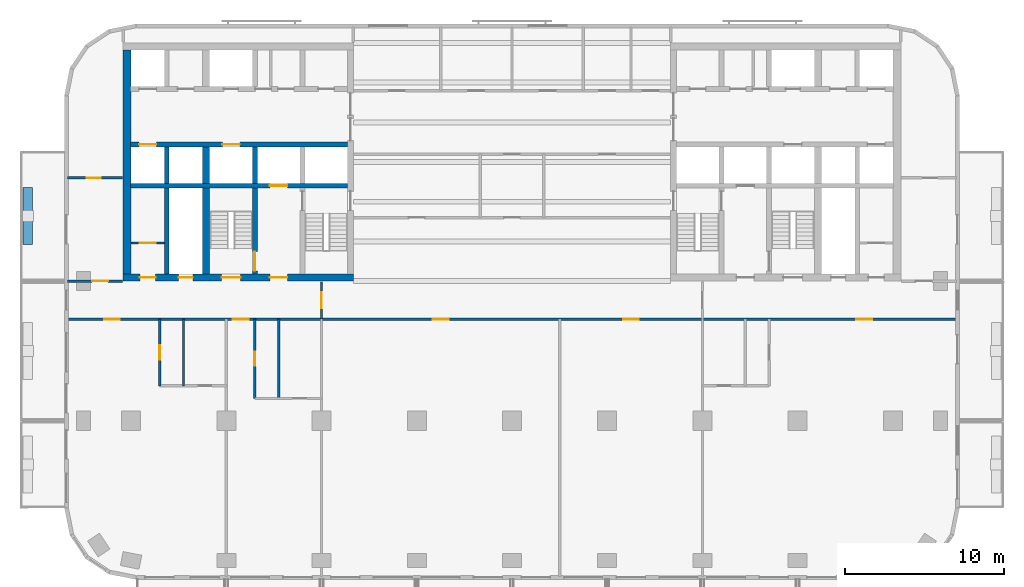
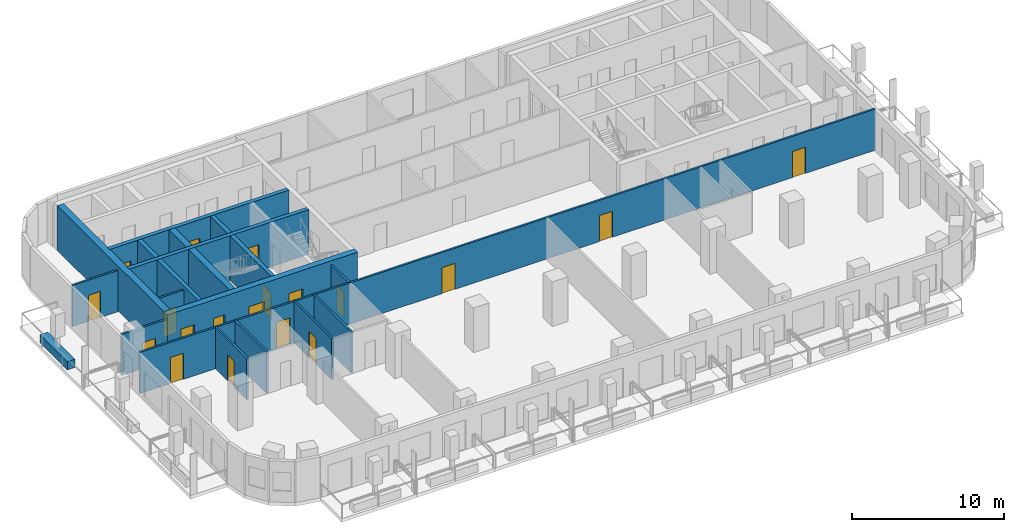
# One storey, part 3 of 11: 20 walls, 19 doors, 19 openings.
"""IFC4 building model written with IfcOpenShell, lengths in metres."""

import ifcopenshell
import ifcopenshell.guid

model = None  # the IFC model being written
_history = None  # IfcOwnerHistory: only IFC2X3 demands one
_inside = {}  # id of a spatial element -> (the spatial element, [elements in it])
_under = {}  # id of a project, library or spatial element -> (it, [spatial elements below it])
_declared = {}  # id of a project -> (the project, [libraries it declares])
_typed = {}  # id of a type object -> (the type object, [elements of that type])
_made_of = {}  # id of a material, layer set ... -> (it, [elements and type objects made of it])


def new_model(schema):
    """Start an empty IFC model of exactly this schema.

    Asked for "IFC4X3", IfcOpenShell would pick the latest addendum, in which some entities
    have other attributes; the version numbers below select the first issue.
    IFC2X3 requires an IfcOwnerHistory on every rooted entity: one is made here for all.
    """
    global model, _history
    if schema == "IFC4X3":
        model = ifcopenshell.file(schema_version=(4, 3, 0, 0))
    else:
        model = ifcopenshell.file(schema=schema)
    _inside.clear()
    _under.clear()
    _declared.clear()
    _typed.clear()
    _made_of.clear()
    _history = None
    if model.schema == "IFC2X3":
        org = make("IfcOrganization", Name="unknown")
        user = make(
            "IfcPersonAndOrganization",
            ThePerson=make("IfcPerson", FamilyName="unknown"),
            TheOrganization=org,
        )
        app = make(
            "IfcApplication",
            ApplicationDeveloper=org,
            Version="unknown",
            ApplicationFullName="unknown",
            ApplicationIdentifier="unknown",
        )
        _history = make(
            "IfcOwnerHistory",
            OwningUser=user,
            OwningApplication=app,
            ChangeAction="ADDED",
            CreationDate=0,
        )
    return model


def make(cls, **values):
    """One entity of the class cls with the attributes given. An attribute that is None is left unset."""
    return model.create_entity(
        cls, **{name: value for name, value in values.items() if value is not None}
    )


def rooted(cls, **values):
    """An entity with a GlobalId (a new one), such as an element, a storey or a relation."""
    return make(cls, GlobalId=ifcopenshell.guid.new(), OwnerHistory=_history, **values)


def si_unit(unit_type, name, prefix=None):
    """IfcSIUnit, for example si_unit("LENGTHUNIT", "METRE", prefix="MILLI")."""
    return make("IfcSIUnit", UnitType=unit_type, Prefix=prefix, Name=name)


def assignment(units):
    """IfcUnitAssignment: the units of a project."""
    return None if units is None else make("IfcUnitAssignment", Units=units)


def point(xyz):
    """IfcCartesianPoint."""
    return None if xyz is None else make("IfcCartesianPoint", Coordinates=xyz)


def direction(xyz):
    """IfcDirection."""
    return None if xyz is None else make("IfcDirection", DirectionRatios=xyz)


def frame(location, z_axis=None, x_axis=None):
    """IfcAxis2Placement3D, a coordinate frame: its origin and axes. An axis left out is left unset."""
    return make(
        "IfcAxis2Placement3D",
        Location=point(location),
        Axis=direction(z_axis),
        RefDirection=direction(x_axis),
    )


def frame_2d(location, x_axis=None):
    """IfcAxis2Placement2D, a coordinate frame in the plane: its origin and x axis."""
    return make(
        "IfcAxis2Placement2D", Location=point(location), RefDirection=direction(x_axis)
    )


def origin():
    """The frame at (0, 0, 0) with its axes left unset."""
    return frame((0.0, 0.0, 0.0))


def place(relative_to, where):
    """IfcLocalPlacement: puts the frame where relative to a parent placement (None: the world)."""
    return make(
        "IfcLocalPlacement", PlacementRelTo=relative_to, RelativePlacement=where
    )


def context(
    kind, dimensions, precision=None, world=None, true_north=None, identifier=None
):
    """IfcGeometricRepresentationContext, for example the 3D "Model" context."""
    return make(
        "IfcGeometricRepresentationContext",
        ContextIdentifier=identifier,
        ContextType=kind,
        CoordinateSpaceDimension=dimensions,
        Precision=precision,
        WorldCoordinateSystem=world,
        TrueNorth=true_north,
    )


def subcontext(parent, identifier, kind, view, scale=None):
    """IfcGeometricRepresentationSubContext, for example "Body" below "Model"."""
    return make(
        "IfcGeometricRepresentationSubContext",
        ContextIdentifier=identifier,
        ContextType=kind,
        ParentContext=parent,
        TargetScale=scale,
        TargetView=view,
    )


def project(units=None, contexts=None):
    """IfcProject with its units and contexts."""
    return rooted(
        "IfcProject",
        Name="project",
        RepresentationContexts=contexts,
        UnitsInContext=assignment(units),
    )


def spatial(cls, under=None, at=None, **own):
    """A site, building, storey or space (cls), placed at a placement, below another one or the project."""
    s = rooted(cls, ObjectPlacement=at, **own)
    if under is not None:
        _under.setdefault(under.id(), (under, []))[1].append(s)
    return s


def profile(cls, at=None, kind="AREA", **sizes):
    """A parametric profile (cls). Its sizes go by their IFC names, for example OverallWidth=200.0."""
    return make(cls, ProfileType=kind, Position=at, **sizes)


def rectangle(**sizes):
    """IfcRectangleProfileDef."""
    return profile("IfcRectangleProfileDef", **sizes)


def extrude(swept, where, along, depth):
    """IfcExtrudedAreaSolid: the profile swept, set in the frame where, extruded along a direction by depth."""
    return make(
        "IfcExtrudedAreaSolid",
        SweptArea=swept,
        Position=where,
        ExtrudedDirection=direction(along),
        Depth=depth,
    )


def shape(context_of_items, identifier, shape_type, items):
    """IfcShapeRepresentation: the items that make up one representation, for example the "Body"."""
    return make(
        "IfcShapeRepresentation",
        ContextOfItems=context_of_items,
        RepresentationIdentifier=identifier,
        RepresentationType=shape_type,
        Items=items,
    )


def material(Name=None, Category=None):
    """IfcMaterial."""
    return make("IfcMaterial", Name=Name, Category=Category)


def layer(
    of_material, thickness, ventilated=None, Name=None, Category=None, Priority=None
):
    """IfcMaterialLayer: one layer of a wall or slab, of a material (None: an air gap)."""
    return make(
        "IfcMaterialLayer",
        Material=of_material,
        LayerThickness=thickness,
        IsVentilated=ventilated,
        Name=Name,
        Category=Category,
        Priority=Priority,
    )


def layer_set(layers, Name=None):
    """IfcMaterialLayerSet."""
    return make("IfcMaterialLayerSet", MaterialLayers=layers, LayerSetName=Name)


def made_of(thing, what):
    """Note that an element or type object is made of a material, layer set ...; save() writes the relation."""
    if what is not None:
        _made_of.setdefault(what.id(), (what, []))[1].append(thing)
    return thing


def type_object(cls, material=None, **own):
    """A type object (cls), such as IfcWallType, which elements share."""
    return made_of(rooted(cls, **own), material)


def element(
    cls,
    number,
    at=None,
    inside=None,
    cuts=None,
    type_object=None,
    material=None,
    context=None,
    identifier="Body",
    shape_type=None,
    held_by="IfcProductDefinitionShape",
    body=None,
    shapes=None,
    **own,
):
    """One element of the class cls, such as IfcWall. Its Tag is "e" and its number.

    at: its placement. inside: the storey or other place that contains it. cuts: it is an
    opening in that element (IfcRelVoidsElement). A single representation is given by context,
    identifier, shape_type and body (its items); several are given by shapes. held_by: the class
    of the entity that holds the representations. save() writes the other relations.
    """
    e = rooted(cls, Tag="e%d" % number, ObjectPlacement=at, **own)
    if body is not None:
        shapes = [shape(context, identifier, shape_type, body)]
    if shapes is not None:
        e.Representation = make(held_by, Representations=shapes)
    if inside is not None:
        _inside.setdefault(inside.id(), (inside, []))[1].append(e)
    if cuts is not None:
        rooted(
            "IfcRelVoidsElement", RelatingBuildingElement=cuts, RelatedOpeningElement=e
        )
    if type_object is not None:
        _typed.setdefault(type_object.id(), (type_object, []))[1].append(e)
    return made_of(e, material)


def fill(opening, filler):
    """IfcRelFillsElement: the door or window that sits in an opening."""
    return rooted(
        "IfcRelFillsElement",
        RelatingOpeningElement=opening,
        RelatedBuildingElement=filler,
    )


def aggregate(whole, parts):
    """IfcRelAggregates: a whole, such as a stair, and the parts it consists of."""
    return rooted("IfcRelAggregates", RelatingObject=whole, RelatedObjects=parts)


def save(model, path):
    """Write the relations noted so far, then the file.

    IfcRelAggregates (storeys below a building ...), IfcRelContainedInSpatialStructure (elements
    in a storey), IfcRelDefinesByType, IfcRelAssociatesMaterial and IfcRelDeclares: one each for
    every whole, place, type object, material and project.
    """
    for whole, parts in _under.values():
        aggregate(whole, parts)
    for where, things in _inside.values():
        rooted(
            "IfcRelContainedInSpatialStructure",
            RelatedElements=things,
            RelatingStructure=where,
        )
    for kind, things in _typed.values():
        rooted("IfcRelDefinesByType", RelatedObjects=things, RelatingType=kind)
    for what, things in _made_of.values():
        rooted("IfcRelAssociatesMaterial", RelatedObjects=things, RelatingMaterial=what)
    for by, libraries in _declared.values():
        rooted("IfcRelDeclares", RelatingContext=by, RelatedDefinitions=libraries)
    model.write(path)


model = new_model("IFC4")

# Units and contexts
model_context = context("Model", 3, precision=1e-05, world=origin(), true_north=direction((0.0, 1.0)))
body_context = subcontext(model_context, "Body", "Model", "MODEL_VIEW")
ifc_project = project(units=[si_unit("LENGTHUNIT", "METRE"), si_unit("AREAUNIT", "SQUARE_METRE"), si_unit("VOLUMEUNIT", "CUBIC_METRE"), si_unit("PLANEANGLEUNIT", "RADIAN"), si_unit("MASSUNIT", "GRAM", prefix="KILO")], contexts=[model_context])

# Site, building, storey
site_placement = place(None, origin())
site = spatial("IfcSite", under=ifc_project, at=site_placement, CompositionType="ELEMENT")
building_placement = place(site_placement, origin())
building = spatial("IfcBuilding", under=site, at=building_placement, Name="Torana Hotel and Residences", CompositionType="ELEMENT")
storey_placement = place(building_placement, frame((0.0, 0.0, 174.0)))
storey = spatial("IfcBuildingStorey", under=building, at=storey_placement, Name="L45", CompositionType="ELEMENT", Elevation=174.0)

# Wall, openings, doors
ifc_material_1 = material(Name="Concrete C70/85", Category="concrete")
ifc_layer_1 = layer(ifc_material_1, 0.300048828125)
ifc_layer_set_1 = layer_set([ifc_layer_1], Name="CORE WALL 300 C70/85")
wall_type_1 = type_object("IfcWallType", Name="CORE WALL 300 C70/85", PredefinedType="SHEAR", material=ifc_layer_set_1)
wall_1_placement = place(storey_placement, frame((-24.050048828125, -6.39990234375, 0.0), z_axis=(0.0, 0.0, 1.0), x_axis=(1.0, 0.0, 0.0)))
wall_1 = element("IfcWall", 1, at=wall_1_placement, inside=storey, type_object=wall_type_1, Name="Core wall W row-S", PredefinedType="SHEAR", context=body_context, shape_type="SweptSolid", body=[
    extrude(rectangle(XDim=13.699951171875, YDim=0.300048828125, at=frame_2d((6.85009765625, 0.0))), origin(), (0.0, 0.0, 1.0), 3.60009765625),
])
opening_1_placement = place(wall_1_placement, frame((0.550048828125, 0.0, 0.0)))
opening_1 = element("IfcOpeningElement", 2, at=opening_1_placement, cuts=wall_1, Name="Opening LD", PredefinedType="OPENING", context=body_context, shape_type="SweptSolid", body=[
    extrude(rectangle(XDim=1.10009765625, YDim=2.10009765625, at=frame_2d((0.550048828125, 1.050048828125))), frame((0.0, 0.159912109375, 0.0), z_axis=(0.0, -1.0, 0.0), x_axis=(1.0, 0.0, 0.0)), (0.0, 0.0, 1.0), 0.320068359375),
])
opening_2_placement = place(wall_1_placement, frame((5.800048828125, 0.0, 0.0)))
opening_2 = element("IfcOpeningElement", 3, at=opening_2_placement, cuts=wall_1, Name="Opening LD", PredefinedType="OPENING", context=body_context, shape_type="SweptSolid", body=[
    extrude(rectangle(XDim=1.10009765625, YDim=2.10009765625, at=frame_2d((0.550048828125, 1.050048828125))), frame((0.0, 0.159912109375, 0.0), z_axis=(0.0, -1.0, 0.0), x_axis=(1.0, 0.0, 0.0)), (0.0, 0.0, 1.0), 0.320068359375),
])
ifc_material_2 = material(Name="Stainless steel 316", Category="steel")
door_type_1 = type_object("IfcDoorType", Name="LIFT LANDING DOOR LD 1100x2100", OperationType="DOUBLE_DOOR_SLIDING", PredefinedType="USERDEFINED", material=ifc_material_2)
door_1_placement = place(opening_1_placement, origin())
door_1 = element("IfcDoor", 4, at=door_1_placement, inside=storey, type_object=door_type_1, Name="Lift landing door M2 L45", ObjectType="LIFT LANDING DOOR", OperationType="DOUBLE_DOOR_SLIDING", OverallHeight=2.10009765625, OverallWidth=1.10009765625, PredefinedType="USERDEFINED", context=body_context, shape_type="SweptSolid", body=[
    extrude(rectangle(XDim=1.10009765625, YDim=2.10009765625, at=frame_2d((0.550048828125, 1.050048828125))), frame((0.0, 0.02490234375, 0.0), z_axis=(0.0, -1.0, 0.0), x_axis=(1.0, 0.0, 0.0)), (0.0, 0.0, 1.0), 0.050048828125),
])
fill(opening_1, door_1)
door_2_placement = place(opening_2_placement, origin())
door_2 = element("IfcDoor", 5, at=door_2_placement, inside=storey, type_object=door_type_1, Name="Lift landing door SV1 L45", ObjectType="LIFT LANDING DOOR", OperationType="DOUBLE_DOOR_SLIDING", OverallHeight=2.10009765625, OverallWidth=1.10009765625, PredefinedType="USERDEFINED", context=body_context, shape_type="SweptSolid", body=[
    extrude(rectangle(XDim=1.10009765625, YDim=2.10009765625, at=frame_2d((0.550048828125, 1.050048828125))), frame((0.0, 0.02490234375, 0.0), z_axis=(0.0, -1.0, 0.0), x_axis=(1.0, 0.0, 0.0)), (0.0, 0.0, 1.0), 0.050048828125),
])
fill(opening_2, door_2)

# Wall, opening, door
wall_2_placement = place(storey_placement, frame((-24.050048828125, -9.0, 0.0), z_axis=(0.0, 0.0, 1.0), x_axis=(1.0, 0.0, 0.0)))
wall_2 = element("IfcWall", 6, at=wall_2_placement, inside=storey, type_object=wall_type_1, Name="Core wall W band", PredefinedType="SHEAR", context=body_context, shape_type="SweptSolid", body=[
    extrude(rectangle(XDim=13.699951171875, YDim=0.300048828125, at=frame_2d((6.85009765625, 0.0))), origin(), (0.0, 0.0, 1.0), 3.60009765625),
])
opening_3_placement = place(wall_2_placement, frame((8.800048828125, 0.0, 0.0)))
opening_3 = element("IfcOpeningElement", 7, at=opening_3_placement, cuts=wall_2, Name="Opening LD", PredefinedType="OPENING", context=body_context, shape_type="SweptSolid", body=[
    extrude(rectangle(XDim=1.10009765625, YDim=2.10009765625, at=frame_2d((0.550048828125, 1.050048828125))), frame((0.0, 0.159912109375, 0.0), z_axis=(0.0, -1.0, 0.0), x_axis=(1.0, 0.0, 0.0)), (0.0, 0.0, 1.0), 0.320068359375),
])
door_3_placement = place(opening_3_placement, origin())
door_3 = element("IfcDoor", 8, at=door_3_placement, inside=storey, type_object=door_type_1, Name="Lift landing door FF1 L45", ObjectType="LIFT LANDING DOOR", OperationType="DOUBLE_DOOR_SLIDING", OverallHeight=2.10009765625, OverallWidth=1.10009765625, PredefinedType="USERDEFINED", context=body_context, shape_type="SweptSolid", body=[
    extrude(rectangle(XDim=1.10009765625, YDim=2.10009765625, at=frame_2d((0.550048828125, 1.050048828125))), frame((0.0, 0.02490234375, 0.0), z_axis=(0.0, -1.0, 0.0), x_axis=(1.0, 0.0, 0.0)), (0.0, 0.0, 1.0), 0.050048828125),
])
fill(opening_3, door_3)

# Wall
wall_3_placement = place(storey_placement, frame((-16.199951171875, -8.85009765625, 0.0), z_axis=(0.0, 0.0, 1.0), x_axis=(0.0, 1.0, 0.0)))
element("IfcWall", 9, at=wall_3_placement, inside=storey, type_object=wall_type_1, Name="Core wall W x6.05-S", PredefinedType="SHEAR", context=body_context, shape_type="SweptSolid", body=[
    extrude(rectangle(XDim=2.300048828125, YDim=0.300048828125, at=frame_2d((1.14990234375, 0.0))), origin(), (0.0, 0.0, 1.0), 3.60009765625),
])

# Wall, opening, door
wall_4_placement = place(storey_placement, frame((-16.199951171875, -14.550048828125, 0.0), z_axis=(0.0, 0.0, 1.0), x_axis=(0.0, 1.0, 0.0)))
wall_4 = element("IfcWall", 10, at=wall_4_placement, inside=storey, type_object=wall_type_1, Name="Core wall W x6.05-band", PredefinedType="SHEAR", context=body_context, shape_type="SweptSolid", body=[
    extrude(rectangle(XDim=5.400146484375, YDim=0.300048828125, at=frame_2d((2.7001953125, 0.0))), origin(), (0.0, 0.0, 1.0), 3.60009765625),
])
opening_4_placement = place(wall_4_placement, frame((0.199951171875, 0.0, 0.0)))
opening_4 = element("IfcOpeningElement", 11, at=opening_4_placement, cuts=wall_4, Name="Opening L45-14", PredefinedType="OPENING", context=body_context, shape_type="SweptSolid", body=[
    extrude(rectangle(XDim=1.199951171875, YDim=2.10009765625, at=frame_2d((0.60009765625, 1.050048828125))), frame((0.0, 0.159912109375, 0.0), z_axis=(0.0, -1.0, 0.0), x_axis=(1.0, 0.0, 0.0)), (0.0, 0.0, 1.0), 0.320068359375),
])
ifc_material_3 = material(Name="Steel S235", Category="steel")
door_type_2 = type_object("IfcDoorType", Name="STAIR FIRE DOOR D3 1200x2100", OperationType="SINGLE_SWING_LEFT", PredefinedType="DOOR", material=ifc_material_3)
door_4_placement = place(opening_4_placement, origin())
door_4 = element("IfcDoor", 12, at=door_4_placement, inside=storey, type_object=door_type_2, Name="Stair-B-lobby door L45", OperationType="SINGLE_SWING_RIGHT", OverallHeight=2.10009765625, OverallWidth=1.199951171875, PredefinedType="DOOR", context=body_context, shape_type="SweptSolid", body=[
    extrude(rectangle(XDim=1.199951171875, YDim=2.10009765625, at=frame_2d((0.60009765625, 1.050048828125))), frame((0.0, 0.02490234375, 0.0), z_axis=(0.0, -1.0, 0.0), x_axis=(1.0, 0.0, 0.0)), (0.0, 0.0, 1.0), 0.050048828125),
])
fill(opening_4, door_4)

# Walls
wall_5_placement = place(storey_placement, frame((-21.75, -8.85009765625, 0.0), z_axis=(0.0, 0.0, 1.0), x_axis=(0.0, 1.0, 0.0)))
element("IfcWall", 13, at=wall_5_placement, inside=storey, type_object=wall_type_1, Name="Core wall W mm-S", PredefinedType="SHEAR", context=body_context, shape_type="SweptSolid", body=[
    extrude(rectangle(XDim=2.300048828125, YDim=0.300048828125, at=frame_2d((1.14990234375, 0.0))), origin(), (0.0, 0.0, 1.0), 3.60009765625),
])
wall_6_placement = place(storey_placement, frame((-21.75, -14.550048828125, 0.0), z_axis=(0.0, 0.0, 1.0), x_axis=(0.0, 1.0, 0.0)))
element("IfcWall", 14, at=wall_6_placement, inside=storey, type_object=wall_type_1, Name="Core wall W mm-band", PredefinedType="SHEAR", context=body_context, shape_type="SweptSolid", body=[
    extrude(rectangle(XDim=5.400146484375, YDim=0.300048828125, at=frame_2d((2.7001953125, 0.0))), origin(), (0.0, 0.0, 1.0), 3.60009765625),
])

# Wall, openings, doors
ifc_material_4 = material(Name="Concrete C70/85", Category="concrete")
ifc_layer_2 = layer(ifc_material_4, 0.449951171875)
ifc_layer_set_2 = layer_set([ifc_layer_2], Name="CORE WALL 450 C70/85")
wall_type_2 = type_object("IfcWallType", Name="CORE WALL 450 C70/85", PredefinedType="SHEAR", material=ifc_layer_set_2)
wall_7_placement = place(storey_placement, frame((-24.5, -14.77490234375, 0.0), z_axis=(0.0, 0.0, 1.0), x_axis=(1.0, 0.0, 0.0)))
wall_7 = element("IfcWall", 15, at=wall_7_placement, inside=storey, type_object=wall_type_2, Name="Core wall W front", PredefinedType="SHEAR", context=body_context, shape_type="SweptSolid", body=[
    extrude(rectangle(XDim=14.5, YDim=0.449951171875, at=frame_2d((7.25, 0.0))), origin(), (0.0, 0.0, 1.0), 3.60009765625),
])
opening_5_placement = place(wall_7_placement, frame((6.199951171875, 0.0, 0.0)))
opening_5 = element("IfcOpeningElement", 16, at=opening_5_placement, cuts=wall_7, Name="Opening L45-04", PredefinedType="OPENING", context=body_context, shape_type="SweptSolid", body=[
    extrude(rectangle(XDim=1.199951171875, YDim=2.10009765625, at=frame_2d((0.60009765625, 1.050048828125))), frame((0.0, 0.23486328125, 0.0), z_axis=(0.0, -1.0, 0.0), x_axis=(1.0, 0.0, 0.0)), (0.0, 0.0, 1.0), 0.469970703125),
])
opening_6_placement = place(wall_7_placement, frame((9.25, 0.0, 0.0)))
opening_6 = element("IfcOpeningElement", 17, at=opening_6_placement, cuts=wall_7, Name="Opening L45-05", PredefinedType="OPENING", context=body_context, shape_type="SweptSolid", body=[
    extrude(rectangle(XDim=1.10009765625, YDim=2.10009765625, at=frame_2d((0.550048828125, 1.050048828125))), frame((0.0, 0.23486328125, 0.0), z_axis=(0.0, -1.0, 0.0), x_axis=(1.0, 0.0, 0.0)), (0.0, 0.0, 1.0), 0.469970703125),
])
opening_7_placement = place(wall_7_placement, frame((3.5, 0.0, 0.0)))
opening_7 = element("IfcOpeningElement", 18, at=opening_7_placement, cuts=wall_7, Name="Opening L45-06", PredefinedType="OPENING", context=body_context, shape_type="SweptSolid", body=[
    extrude(rectangle(XDim=0.89990234375, YDim=2.10009765625, at=frame_2d((0.449951171875, 1.050048828125))), frame((0.0, 0.23486328125, 0.0), z_axis=(0.0, -1.0, 0.0), x_axis=(1.0, 0.0, 0.0)), (0.0, 0.0, 1.0), 0.469970703125),
])
opening_8_placement = place(wall_7_placement, frame((1.050048828125, 0.0, 0.0)))
opening_8 = element("IfcOpeningElement", 19, at=opening_8_placement, cuts=wall_7, Name="Opening L45-07", PredefinedType="OPENING", context=body_context, shape_type="SweptSolid", body=[
    extrude(rectangle(XDim=1.0, YDim=2.10009765625, at=frame_2d((0.5, 1.050048828125))), frame((0.0, 0.23486328125, 0.0), z_axis=(0.0, -1.0, 0.0), x_axis=(1.0, 0.0, 0.0)), (0.0, 0.0, 1.0), 0.469970703125),
])
ifc_material_5 = material(Name="Steel S235", Category="steel")
door_type_3 = type_object("IfcDoorType", Name="CORE ROOM FIRE DOOR D14 1000x2100", OperationType="SINGLE_SWING_LEFT", PredefinedType="DOOR", material=ifc_material_5)
door_5_placement = place(opening_8_placement, origin())
door_5 = element("IfcDoor", 20, at=door_5_placement, inside=storey, type_object=door_type_3, Name="M-Room-B door L45", OperationType="SINGLE_SWING_RIGHT", OverallHeight=2.10009765625, OverallWidth=1.0, PredefinedType="DOOR", context=body_context, shape_type="SweptSolid", body=[
    extrude(rectangle(XDim=1.0, YDim=2.10009765625, at=frame_2d((0.5, 1.050048828125))), frame((0.0, 0.02490234375, 0.0), z_axis=(0.0, -1.0, 0.0), x_axis=(1.0, 0.0, 0.0)), (0.0, 0.0, 1.0), 0.050048828125),
])
fill(opening_8, door_5)
ifc_material_6 = material(Name="Steel S235", Category="steel")
door_type_4 = type_object("IfcDoorType", Name="FIRE-FIGHTING LOBBY DOOR D8 1100x2100", OperationType="SINGLE_SWING_LEFT", PredefinedType="DOOR", material=ifc_material_6)
door_6_placement = place(opening_6_placement, origin())
door_6 = element("IfcDoor", 21, at=door_6_placement, inside=storey, type_object=door_type_4, Name="FF-lobby door L45", OperationType="SINGLE_SWING_RIGHT", OverallHeight=2.10009765625, OverallWidth=1.10009765625, PredefinedType="DOOR", context=body_context, shape_type="SweptSolid", body=[
    extrude(rectangle(XDim=1.10009765625, YDim=2.10009765625, at=frame_2d((0.550048828125, 1.050048828125))), frame((0.0, 0.02490234375, 0.0), z_axis=(0.0, -1.0, 0.0), x_axis=(1.0, 0.0, 0.0)), (0.0, 0.0, 1.0), 0.050048828125),
])
fill(opening_6, door_6)
ifc_material_7 = material(Name="Steel S235", Category="steel")
door_type_5 = type_object("IfcDoorType", Name="RISER ACCESS DOOR D5 900x2100", OperationType="SINGLE_SWING_LEFT", PredefinedType="DOOR", material=ifc_material_7)
door_7_placement = place(opening_7_placement, origin())
door_7 = element("IfcDoor", 22, at=door_7_placement, inside=storey, type_object=door_type_5, Name="M-Riser door L45", OperationType="SINGLE_SWING_RIGHT", OverallHeight=2.10009765625, OverallWidth=0.89990234375, PredefinedType="DOOR", context=body_context, shape_type="SweptSolid", body=[
    extrude(rectangle(XDim=0.89990234375, YDim=2.10009765625, at=frame_2d((0.449951171875, 1.050048828125))), frame((0.0, 0.02490234375, 0.0), z_axis=(0.0, -1.0, 0.0), x_axis=(1.0, 0.0, 0.0)), (0.0, 0.0, 1.0), 0.050048828125),
])
fill(opening_7, door_7)
door_8_placement = place(opening_5_placement, origin())
door_8 = element("IfcDoor", 23, at=door_8_placement, inside=storey, type_object=door_type_2, Name="Stair-B door L45", OperationType="SINGLE_SWING_RIGHT", OverallHeight=2.10009765625, OverallWidth=1.199951171875, PredefinedType="DOOR", context=body_context, shape_type="SweptSolid", body=[
    extrude(rectangle(XDim=1.199951171875, YDim=2.10009765625, at=frame_2d((0.60009765625, 1.050048828125))), frame((0.0, 0.02490234375, 0.0), z_axis=(0.0, -1.0, 0.0), x_axis=(1.0, 0.0, 0.0)), (0.0, 0.0, 1.0), 0.050048828125),
])
fill(opening_5, door_8)

# Walls
wall_8_placement = place(storey_placement, frame((-19.27490234375, -8.85009765625, 0.0), z_axis=(0.0, 0.0, 1.0), x_axis=(0.0, 1.0, 0.0)))
element("IfcWall", 24, at=wall_8_placement, inside=storey, type_object=wall_type_2, Name="Core wall W hm-S", PredefinedType="SHEAR", context=body_context, shape_type="SweptSolid", body=[
    extrude(rectangle(XDim=2.300048828125, YDim=0.449951171875, at=frame_2d((1.14990234375, 0.0))), origin(), (0.0, 0.0, 1.0), 3.60009765625),
])
wall_9_placement = place(storey_placement, frame((-19.27490234375, -14.550048828125, 0.0), z_axis=(0.0, 0.0, 1.0), x_axis=(0.0, 1.0, 0.0)))
element("IfcWall", 25, at=wall_9_placement, inside=storey, type_object=wall_type_2, Name="Core wall W hm-band", PredefinedType="SHEAR", context=body_context, shape_type="SweptSolid", body=[
    extrude(rectangle(XDim=5.400146484375, YDim=0.449951171875, at=frame_2d((2.7001953125, 0.0))), origin(), (0.0, 0.0, 1.0), 3.60009765625),
])
ifc_material_8 = material(Name="Concrete C70/85", Category="concrete")
ifc_layer_3 = layer(ifc_material_8, 0.5)
ifc_layer_set_3 = layer_set([ifc_layer_3], Name="CORE WALL 500 C70/85")
wall_type_3 = type_object("IfcWallType", Name="CORE WALL 500 C70/85", PredefinedType="SHEAR", material=ifc_layer_set_3)
wall_10_placement = place(storey_placement, frame((-24.25, -14.550048828125, 0.0), z_axis=(0.0, 0.0, 1.0), x_axis=(0.0, 1.0, 0.0)))
element("IfcWall", 26, at=wall_10_placement, inside=storey, type_object=wall_type_3, Name="Core wall W outer", PredefinedType="SHEAR", context=body_context, shape_type="SweptSolid", body=[
    extrude(rectangle(XDim=14.10009765625, YDim=0.5, at=frame_2d((7.050048828125, 0.0))), origin(), (0.0, 0.0, 1.0), 3.60009765625),
])

# Wall, opening, door
ifc_material_9 = material(Name="Gypsum plaster")
ifc_layer_4 = layer(ifc_material_9, 0.014892578125, Name="Plaster", Category="finish")
ifc_material_10 = material(Name="Concrete blockwork", Category="masonry")
ifc_layer_5 = layer(ifc_material_10, 0.1201171875, Name="Blockwork", Category="structure")
ifc_layer_6 = layer(ifc_material_9, 0.014892578125, Name="Plaster", Category="finish")
ifc_layer_set_4 = layer_set([ifc_layer_4, ifc_layer_5, ifc_layer_6], Name="FIRE PARTITION 150 BLOCKWORK")
wall_type_4 = type_object("IfcWallType", Name="FIRE PARTITION 150 BLOCKWORK", PredefinedType="PARTITIONING", material=ifc_layer_set_4)
wall_11_placement = place(storey_placement, frame((-24.0, -12.60009765625, 0.0), z_axis=(0.0, 0.0, 1.0), x_axis=(1.0, 0.0, 0.0)))
wall_11 = element("IfcWall", 27, at=wall_11_placement, inside=storey, type_object=wall_type_4, Name="Core partition L45", PredefinedType="PARTITIONING", context=body_context, shape_type="SweptSolid", body=[
    extrude(rectangle(XDim=2.10009765625, YDim=0.14990234375, at=frame_2d((1.050048828125, 0.0))), origin(), (0.0, 0.0, 1.0), 3.300048828125),
])
opening_9_placement = place(wall_11_placement, frame((0.550048828125, 0.0, 0.0)))
opening_9 = element("IfcOpeningElement", 28, at=opening_9_placement, cuts=wall_11, Name="Opening L45-29", PredefinedType="OPENING", context=body_context, shape_type="SweptSolid", body=[
    extrude(rectangle(XDim=1.0, YDim=2.10009765625, at=frame_2d((0.5, 1.050048828125))), frame((0.0, 0.0849609375, 0.0), z_axis=(0.0, -1.0, 0.0), x_axis=(1.0, 0.0, 0.0)), (0.0, 0.0, 1.0), 0.169921875),
])
door_9_placement = place(opening_9_placement, origin())
door_9 = element("IfcDoor", 29, at=door_9_placement, inside=storey, type_object=door_type_3, Name="Plant room door L45", OperationType="SINGLE_SWING_RIGHT", OverallHeight=2.10009765625, OverallWidth=1.0, PredefinedType="DOOR", context=body_context, shape_type="SweptSolid", body=[
    extrude(rectangle(XDim=1.0, YDim=2.10009765625, at=frame_2d((0.5, 1.050048828125))), frame((0.0, 0.02490234375, 0.0), z_axis=(0.0, -1.0, 0.0), x_axis=(1.0, 0.0, 0.0)), (0.0, 0.0, 1.0), 0.050048828125),
])
fill(opening_9, door_9)

wall_12_placement = place(storey_placement, frame((-12.0, -17.39990234375, 0.0), z_axis=(0.0, 0.0, 1.0), x_axis=(0.0, 1.0, 0.0)))
wall_12 = element("IfcWall", 30, at=wall_12_placement, inside=storey, type_object=wall_type_4, Name="Partition L45", PredefinedType="PARTITIONING", context=body_context, shape_type="SweptSolid", body=[
    extrude(rectangle(XDim=2.349853515625, YDim=0.14990234375, at=frame_2d((1.1748046875, 0.0))), origin(), (0.0, 0.0, 1.0), 3.320068359375),
])
opening_10_placement = place(wall_12_placement, frame((0.699951171875, 0.0, 0.0)))
opening_10 = element("IfcOpeningElement", 31, at=opening_10_placement, cuts=wall_12, Name="Opening L45-31", PredefinedType="OPENING", context=body_context, shape_type="SweptSolid", body=[
    extrude(rectangle(XDim=1.0, YDim=2.10009765625, at=frame_2d((0.5, 1.050048828125))), frame((0.0, 0.0849609375, 0.0), z_axis=(0.0, -1.0, 0.0), x_axis=(1.0, 0.0, 0.0)), (0.0, 0.0, 1.0), 0.169921875),
])
ifc_material_11 = material(Name="Steel S235", Category="steel")
door_type_6 = type_object("IfcDoorType", Name="ENTRY FIRE DOOR D6 1000x2100", OperationType="SINGLE_SWING_LEFT", PredefinedType="DOOR", material=ifc_material_11)
door_10_placement = place(opening_10_placement, origin())
door_10 = element("IfcDoor", 32, at=door_10_placement, inside=storey, type_object=door_type_6, Name="Door L45", OperationType="SINGLE_SWING_RIGHT", OverallHeight=2.10009765625, OverallWidth=1.0, PredefinedType="DOOR", context=body_context, shape_type="SweptSolid", body=[
    extrude(rectangle(XDim=1.0, YDim=2.10009765625, at=frame_2d((0.5, 1.050048828125))), frame((0.0, 0.02490234375, 0.0), z_axis=(0.0, -1.0, 0.0), x_axis=(1.0, 0.0, 0.0)), (0.0, 0.0, 1.0), 0.050048828125),
])
fill(opening_10, door_10)

# Wall, openings, doors
wall_13_placement = place(storey_placement, frame((-28.02001953125, -17.39990234375, 0.0), z_axis=(0.0, 0.0, 1.0), x_axis=(1.0, 0.0, 0.0)))
wall_13 = element("IfcWall", 33, at=wall_13_placement, inside=storey, type_object=wall_type_4, Name="Partition L45", PredefinedType="PARTITIONING", context=body_context, shape_type="SweptSolid", body=[
    extrude(rectangle(XDim=56.0400390625, YDim=0.14990234375, at=frame_2d((28.02001953125, 0.0))), origin(), (0.0, 0.0, 1.0), 3.320068359375),
])
opening_11_placement = place(wall_13_placement, frame((10.419921875, 0.0, 0.0)))
opening_11 = element("IfcOpeningElement", 34, at=opening_11_placement, cuts=wall_13, Name="Opening L45-32", PredefinedType="OPENING", context=body_context, shape_type="SweptSolid", body=[
    extrude(rectangle(XDim=1.0, YDim=2.10009765625, at=frame_2d((0.5, 1.050048828125))), frame((0.0, 0.0849609375, 0.0), z_axis=(0.0, -1.0, 0.0), x_axis=(1.0, 0.0, 0.0)), (0.0, 0.0, 1.0), 0.169921875),
])
opening_12_placement = place(wall_13_placement, frame((2.320068359375, 0.0, 0.0)))
opening_12 = element("IfcOpeningElement", 35, at=opening_12_placement, cuts=wall_13, Name="Opening L45-33", PredefinedType="OPENING", context=body_context, shape_type="SweptSolid", body=[
    extrude(rectangle(XDim=1.0, YDim=2.10009765625, at=frame_2d((0.5, 1.050048828125))), frame((0.0, 0.0849609375, 0.0), z_axis=(0.0, -1.0, 0.0), x_axis=(1.0, 0.0, 0.0)), (0.0, 0.0, 1.0), 0.169921875),
])
opening_13_placement = place(wall_13_placement, frame((49.719970703125, 0.0, 0.0)))
opening_13 = element("IfcOpeningElement", 36, at=opening_13_placement, cuts=wall_13, Name="Opening L45-36", PredefinedType="OPENING", context=body_context, shape_type="SweptSolid", body=[
    extrude(rectangle(XDim=1.0, YDim=2.10009765625, at=frame_2d((0.5, 1.050048828125))), frame((0.0, 0.0849609375, 0.0), z_axis=(0.0, -1.0, 0.0), x_axis=(1.0, 0.0, 0.0)), (0.0, 0.0, 1.0), 0.169921875),
])
opening_14_placement = place(wall_13_placement, frame((23.02001953125, 0.0, 0.0)))
opening_14 = element("IfcOpeningElement", 37, at=opening_14_placement, cuts=wall_13, Name="Opening L45-39", PredefinedType="OPENING", context=body_context, shape_type="SweptSolid", body=[
    extrude(rectangle(XDim=1.0, YDim=2.10009765625, at=frame_2d((0.5, 1.050048828125))), frame((0.0, 0.0849609375, 0.0), z_axis=(0.0, -1.0, 0.0), x_axis=(1.0, 0.0, 0.0)), (0.0, 0.0, 1.0), 0.169921875),
])
opening_15_placement = place(wall_13_placement, frame((35.02001953125, 0.0, 0.0)))
opening_15 = element("IfcOpeningElement", 38, at=opening_15_placement, cuts=wall_13, Name="Opening L45-40", PredefinedType="OPENING", context=body_context, shape_type="SweptSolid", body=[
    extrude(rectangle(XDim=1.0, YDim=2.10009765625, at=frame_2d((0.5, 1.050048828125))), frame((0.0, 0.0849609375, 0.0), z_axis=(0.0, -1.0, 0.0), x_axis=(1.0, 0.0, 0.0)), (0.0, 0.0, 1.0), 0.169921875),
])
door_11_placement = place(opening_11_placement, frame((0.5, 0.0, 0.0), z_axis=(0.0, 0.0, 1.0), x_axis=(-1.0, 0.0, 0.0)))
door_11 = element("IfcDoor", 39, at=door_11_placement, inside=storey, type_object=door_type_6, Name="Door L45", OperationType="SINGLE_SWING_LEFT", OverallHeight=2.10009765625, OverallWidth=1.0, PredefinedType="DOOR", context=body_context, shape_type="SweptSolid", body=[
    extrude(rectangle(XDim=1.0, YDim=2.10009765625, at=frame_2d((0.0, 1.050048828125))), frame((0.0, -0.02490234375, 0.0), z_axis=(0.0, 1.0, 0.0), x_axis=(-1.0, 0.0, 0.0)), (0.0, 0.0, 1.0), 0.050048828125),
])
fill(opening_11, door_11)
door_12_placement = place(opening_12_placement, frame((0.5, 0.0, 0.0), z_axis=(0.0, 0.0, 1.0), x_axis=(-1.0, 0.0, 0.0)))
door_12 = element("IfcDoor", 40, at=door_12_placement, inside=storey, type_object=door_type_6, Name="Door L45", OperationType="SINGLE_SWING_LEFT", OverallHeight=2.10009765625, OverallWidth=1.0, PredefinedType="DOOR", context=body_context, shape_type="SweptSolid", body=[
    extrude(rectangle(XDim=1.0, YDim=2.10009765625, at=frame_2d((0.0, 1.050048828125))), frame((0.0, -0.02490234375, 0.0), z_axis=(0.0, 1.0, 0.0), x_axis=(-1.0, 0.0, 0.0)), (0.0, 0.0, 1.0), 0.050048828125),
])
fill(opening_12, door_12)
door_13_placement = place(opening_13_placement, frame((0.5, 0.0, 0.0), z_axis=(0.0, 0.0, 1.0), x_axis=(-1.0, 0.0, 0.0)))
door_13 = element("IfcDoor", 41, at=door_13_placement, inside=storey, type_object=door_type_6, Name="Door L45", OperationType="SINGLE_SWING_LEFT", OverallHeight=2.10009765625, OverallWidth=1.0, PredefinedType="DOOR", context=body_context, shape_type="SweptSolid", body=[
    extrude(rectangle(XDim=1.0, YDim=2.10009765625, at=frame_2d((0.0, 1.050048828125))), frame((0.0, -0.02490234375, 0.0), z_axis=(0.0, 1.0, 0.0), x_axis=(-1.0, 0.0, 0.0)), (0.0, 0.0, 1.0), 0.050048828125),
])
fill(opening_13, door_13)
door_14_placement = place(opening_14_placement, frame((0.5, 0.0, 0.0), z_axis=(0.0, 0.0, 1.0), x_axis=(-1.0, 0.0, 0.0)))
door_14 = element("IfcDoor", 42, at=door_14_placement, inside=storey, type_object=door_type_6, Name="Door L45", OperationType="SINGLE_SWING_LEFT", OverallHeight=2.10009765625, OverallWidth=1.0, PredefinedType="DOOR", context=body_context, shape_type="SweptSolid", body=[
    extrude(rectangle(XDim=1.0, YDim=2.10009765625, at=frame_2d((0.0, 1.050048828125))), frame((0.0, -0.02490234375, 0.0), z_axis=(0.0, 1.0, 0.0), x_axis=(-1.0, 0.0, 0.0)), (0.0, 0.0, 1.0), 0.050048828125),
])
fill(opening_14, door_14)
door_15_placement = place(opening_15_placement, frame((0.5, 0.0, 0.0), z_axis=(0.0, 0.0, 1.0), x_axis=(-1.0, 0.0, 0.0)))
door_15 = element("IfcDoor", 43, at=door_15_placement, inside=storey, type_object=door_type_6, Name="Door L45", OperationType="SINGLE_SWING_LEFT", OverallHeight=2.10009765625, OverallWidth=1.0, PredefinedType="DOOR", context=body_context, shape_type="SweptSolid", body=[
    extrude(rectangle(XDim=1.0, YDim=2.10009765625, at=frame_2d((0.0, 1.050048828125))), frame((0.0, -0.02490234375, 0.0), z_axis=(0.0, 1.0, 0.0), x_axis=(-1.0, 0.0, 0.0)), (0.0, 0.0, 1.0), 0.050048828125),
])
fill(opening_15, door_15)

# Wall, opening, door
wall_14_placement = place(storey_placement, frame((-28.02001953125, -15.0, 0.0), z_axis=(0.0, 0.0, 1.0), x_axis=(1.0, 0.0, 0.0)))
wall_14 = element("IfcWall", 44, at=wall_14_placement, inside=storey, type_object=wall_type_4, Name="Partition L45", PredefinedType="PARTITIONING", context=body_context, shape_type="SweptSolid", body=[
    extrude(rectangle(XDim=3.469970703125, YDim=0.14990234375, at=frame_2d((1.73486328125, 0.0))), origin(), (0.0, 0.0, 1.0), 3.320068359375),
])
opening_16_placement = place(wall_14_placement, frame((1.570068359375, 0.0, 0.0)))
opening_16 = element("IfcOpeningElement", 45, at=opening_16_placement, cuts=wall_14, Name="Opening L45-34", PredefinedType="OPENING", context=body_context, shape_type="SweptSolid", body=[
    extrude(rectangle(XDim=1.0, YDim=2.10009765625, at=frame_2d((0.5, 1.050048828125))), frame((0.0, 0.0849609375, 0.0), z_axis=(0.0, -1.0, 0.0), x_axis=(1.0, 0.0, 0.0)), (0.0, 0.0, 1.0), 0.169921875),
])
door_16_placement = place(opening_16_placement, origin())
door_16 = element("IfcDoor", 46, at=door_16_placement, inside=storey, type_object=door_type_3, Name="Door L45", OperationType="SINGLE_SWING_RIGHT", OverallHeight=2.10009765625, OverallWidth=1.0, PredefinedType="DOOR", context=body_context, shape_type="SweptSolid", body=[
    extrude(rectangle(XDim=1.0, YDim=2.10009765625, at=frame_2d((0.5, 1.050048828125))), frame((0.0, 0.02490234375, 0.0), z_axis=(0.0, -1.0, 0.0), x_axis=(1.0, 0.0, 0.0)), (0.0, 0.0, 1.0), 0.050048828125),
])
fill(opening_16, door_16)

# Wall
ifc_material_12 = material(Name="Gypsum plasterboard")
ifc_layer_7 = layer(ifc_material_12, 0.012451171875, Name="Plasterboard", Category="finish")
ifc_layer_8 = layer(ifc_material_12, 0.012451171875, Name="Plasterboard", Category="finish")
ifc_material_13 = material(Name="Steel S280GD", Category="steel")
ifc_layer_9 = layer(ifc_material_13, 0.10009765625, Name="Steel studs with mineral wool", Category="insulation")
ifc_layer_10 = layer(ifc_material_12, 0.012451171875, Name="Plasterboard", Category="finish")
ifc_layer_11 = layer(ifc_material_12, 0.012451171875, Name="Plasterboard", Category="finish")
ifc_layer_set_5 = layer_set([ifc_layer_7, ifc_layer_8, ifc_layer_9, ifc_layer_10, ifc_layer_11], Name="PARTITION 150 PLASTERBOARD")
wall_type_5 = type_object("IfcWallType", Name="PARTITION 150 PLASTERBOARD", PredefinedType="PARTITIONING", material=ifc_layer_set_5)
wall_15_placement = place(storey_placement, frame((-14.699951171875, -22.39990234375, 0.0), z_axis=(0.0, 0.0, 1.0), x_axis=(0.0, 1.0, 0.0)))
element("IfcWall", 47, at=wall_15_placement, inside=storey, type_object=wall_type_5, Name="Partition L45", PredefinedType="PARTITIONING", context=body_context, shape_type="SweptSolid", body=[
    extrude(rectangle(XDim=5.0, YDim=0.14990234375, at=frame_2d((2.5, 0.0))), origin(), (0.0, 0.0, 1.0), 3.320068359375),
])

# Wall, opening, door
wall_16_placement = place(storey_placement, frame((-16.199951171875, -22.39990234375, 0.0), z_axis=(0.0, 0.0, 1.0), x_axis=(0.0, 1.0, 0.0)))
wall_16 = element("IfcWall", 48, at=wall_16_placement, inside=storey, type_object=wall_type_5, Name="Partition L45", PredefinedType="PARTITIONING", context=body_context, shape_type="SweptSolid", body=[
    extrude(rectangle(XDim=5.0, YDim=0.14990234375, at=frame_2d((2.5, 0.0))), origin(), (0.0, 0.0, 1.0), 3.320068359375),
])
opening_17_placement = place(wall_16_placement, frame((2.050048828125, 0.0, 0.0)))
opening_17 = element("IfcOpeningElement", 49, at=opening_17_placement, cuts=wall_16, Name="Opening L45-49", PredefinedType="OPENING", context=body_context, shape_type="SweptSolid", body=[
    extrude(rectangle(XDim=0.89990234375, YDim=2.10009765625, at=frame_2d((0.449951171875, 1.050048828125))), frame((0.0, 0.0849609375, 0.0), z_axis=(0.0, -1.0, 0.0), x_axis=(1.0, 0.0, 0.0)), (0.0, 0.0, 1.0), 0.169921875),
])
ifc_material_14 = material(Name="Timber door, oiled ash", Category="wood")
door_type_7 = type_object("IfcDoorType", Name="ROOM DOOR D7 900x2100", OperationType="SINGLE_SWING_LEFT", PredefinedType="DOOR", material=ifc_material_14)
door_17_placement = place(opening_17_placement, origin())
door_17 = element("IfcDoor", 50, at=door_17_placement, inside=storey, type_object=door_type_7, Name="Door L45", OperationType="SINGLE_SWING_RIGHT", OverallHeight=2.10009765625, OverallWidth=0.89990234375, PredefinedType="DOOR", context=body_context, shape_type="SweptSolid", body=[
    extrude(rectangle(XDim=0.89990234375, YDim=2.10009765625, at=frame_2d((0.449951171875, 1.050048828125))), frame((0.0, 0.02490234375, 0.0), z_axis=(0.0, -1.0, 0.0), x_axis=(1.0, 0.0, 0.0)), (0.0, 0.0, 1.0), 0.050048828125),
])
fill(opening_17, door_17)

# Wall
wall_17_placement = place(storey_placement, frame((-20.699951171875, -21.60009765625, 0.0), z_axis=(0.0, 0.0, 1.0), x_axis=(0.0, 1.0, 0.0)))
element("IfcWall", 51, at=wall_17_placement, inside=storey, type_object=wall_type_5, Name="Partition L45", PredefinedType="PARTITIONING", context=body_context, shape_type="SweptSolid", body=[
    extrude(rectangle(XDim=4.2001953125, YDim=0.14990234375, at=frame_2d((2.10009765625, 0.0))), origin(), (0.0, 0.0, 1.0), 3.320068359375),
])

# Wall, opening, door
wall_18_placement = place(storey_placement, frame((-22.199951171875, -21.60009765625, 0.0), z_axis=(0.0, 0.0, 1.0), x_axis=(0.0, 1.0, 0.0)))
wall_18 = element("IfcWall", 52, at=wall_18_placement, inside=storey, type_object=wall_type_5, Name="Partition L45", PredefinedType="PARTITIONING", context=body_context, shape_type="SweptSolid", body=[
    extrude(rectangle(XDim=4.2001953125, YDim=0.14990234375, at=frame_2d((2.10009765625, 0.0))), origin(), (0.0, 0.0, 1.0), 3.320068359375),
])
opening_18_placement = place(wall_18_placement, frame((1.64990234375, 0.0, 0.0)))
opening_18 = element("IfcOpeningElement", 53, at=opening_18_placement, cuts=wall_18, Name="Opening L45-52", PredefinedType="OPENING", context=body_context, shape_type="SweptSolid", body=[
    extrude(rectangle(XDim=0.89990234375, YDim=2.10009765625, at=frame_2d((0.449951171875, 1.050048828125))), frame((0.0, 0.0849609375, 0.0), z_axis=(0.0, -1.0, 0.0), x_axis=(1.0, 0.0, 0.0)), (0.0, 0.0, 1.0), 0.169921875),
])
door_18_placement = place(opening_18_placement, origin())
door_18 = element("IfcDoor", 54, at=door_18_placement, inside=storey, type_object=door_type_7, Name="Door L45", OperationType="SINGLE_SWING_RIGHT", OverallHeight=2.10009765625, OverallWidth=0.89990234375, PredefinedType="DOOR", context=body_context, shape_type="SweptSolid", body=[
    extrude(rectangle(XDim=0.89990234375, YDim=2.10009765625, at=frame_2d((0.449951171875, 1.050048828125))), frame((0.0, 0.02490234375, 0.0), z_axis=(0.0, -1.0, 0.0), x_axis=(1.0, 0.0, 0.0)), (0.0, 0.0, 1.0), 0.050048828125),
])
fill(opening_18, door_18)

wall_19_placement = place(storey_placement, frame((-28.02001953125, -8.5, 0.0), z_axis=(0.0, 0.0, 1.0), x_axis=(1.0, 0.0, 0.0)))
wall_19 = element("IfcWall", 55, at=wall_19_placement, inside=storey, type_object=wall_type_5, Name="Partition L45", PredefinedType="PARTITIONING", context=body_context, shape_type="SweptSolid", body=[
    extrude(rectangle(XDim=3.469970703125, YDim=0.14990234375, at=frame_2d((1.73486328125, 0.0))), origin(), (0.0, 0.0, 1.0), 3.320068359375),
])
opening_19_placement = place(wall_19_placement, frame((1.219970703125, 0.0, 0.0)))
opening_19 = element("IfcOpeningElement", 56, at=opening_19_placement, cuts=wall_19, Name="Opening L45-55", PredefinedType="OPENING", context=body_context, shape_type="SweptSolid", body=[
    extrude(rectangle(XDim=0.89990234375, YDim=2.10009765625, at=frame_2d((0.449951171875, 1.050048828125))), frame((0.0, 0.0849609375, 0.0), z_axis=(0.0, -1.0, 0.0), x_axis=(1.0, 0.0, 0.0)), (0.0, 0.0, 1.0), 0.169921875),
])
door_19_placement = place(opening_19_placement, origin())
door_19 = element("IfcDoor", 57, at=door_19_placement, inside=storey, type_object=door_type_7, Name="Door L45", OperationType="SINGLE_SWING_RIGHT", OverallHeight=2.10009765625, OverallWidth=0.89990234375, PredefinedType="DOOR", context=body_context, shape_type="SweptSolid", body=[
    extrude(rectangle(XDim=0.89990234375, YDim=2.10009765625, at=frame_2d((0.449951171875, 1.050048828125))), frame((0.0, 0.02490234375, 0.0), z_axis=(0.0, -1.0, 0.0), x_axis=(1.0, 0.0, 0.0)), (0.0, 0.0, 1.0), 0.050048828125),
])
fill(opening_19, door_19)

# Wall
ifc_material_15 = material(Name="Concrete C40/50 precast", Category="concrete")
ifc_layer_12 = layer(ifc_material_15, 0.10009765625, Name="Planter shell", Category="structure")
ifc_material_16 = material(Name="Root resistant membrane")
ifc_layer_13 = layer(ifc_material_16, 0.00390625, Name="Waterproofing membrane", Category="membrane")
ifc_material_17 = material(Name="Drainage board with filter fleece")
ifc_layer_14 = layer(ifc_material_17, 0.02001953125, Name="Drainage board", Category="drainage")
ifc_material_18 = material(Name="Growing medium")
ifc_layer_15 = layer(ifc_material_18, 0.47607421875, Name="Planting substrate", Category="soil")
ifc_layer_set_6 = layer_set([ifc_layer_12, ifc_layer_13, ifc_layer_14, ifc_layer_15], Name="PL1 BALCONY PLANTER 600")
wall_type_6 = type_object("IfcWallType", Name="PL1 BALCONY PLANTER 600", PredefinedType="USERDEFINED", material=ifc_layer_set_6)
wall_20_placement = place(storey_placement, frame((-30.5, -12.699951171875, 0.0), z_axis=(0.0, 0.0, 1.0), x_axis=(0.0, 1.0, 0.0)))
element("IfcWall", 58, at=wall_20_placement, inside=storey, type_object=wall_type_6, Name="Planter 11", ObjectType="PLANTER", PredefinedType="USERDEFINED", context=body_context, shape_type="SweptSolid", body=[
    extrude(rectangle(XDim=3.599853515625, YDim=0.60009765625, at=frame_2d((1.7998046875, 0.0))), origin(), (0.0, 0.0, 1.0), 0.64990234375),
])

save(model, "model.ifc")
